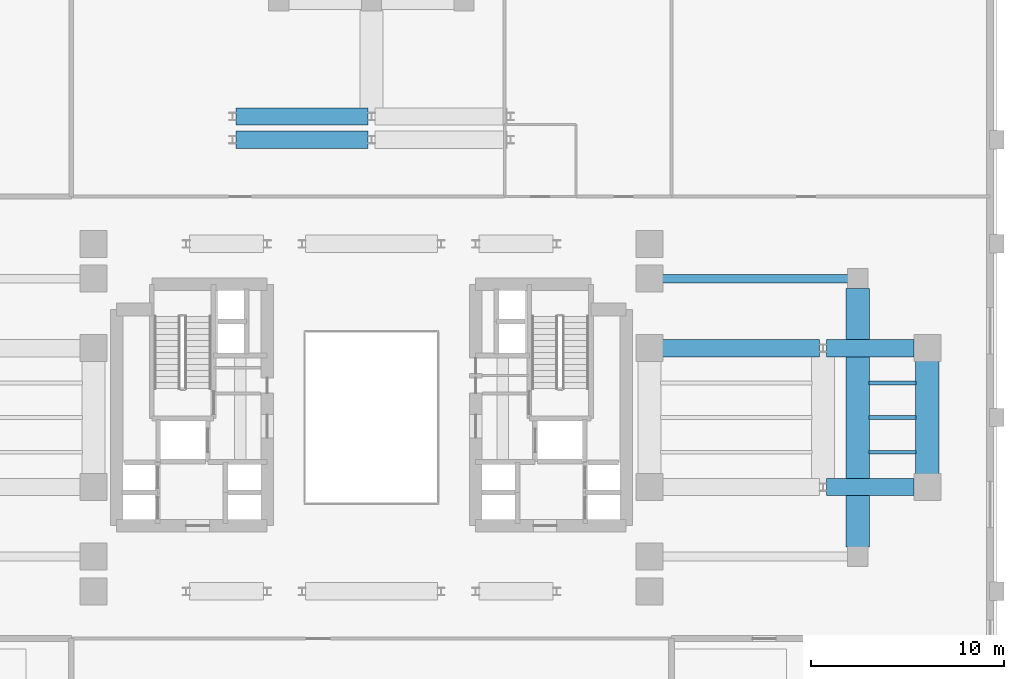
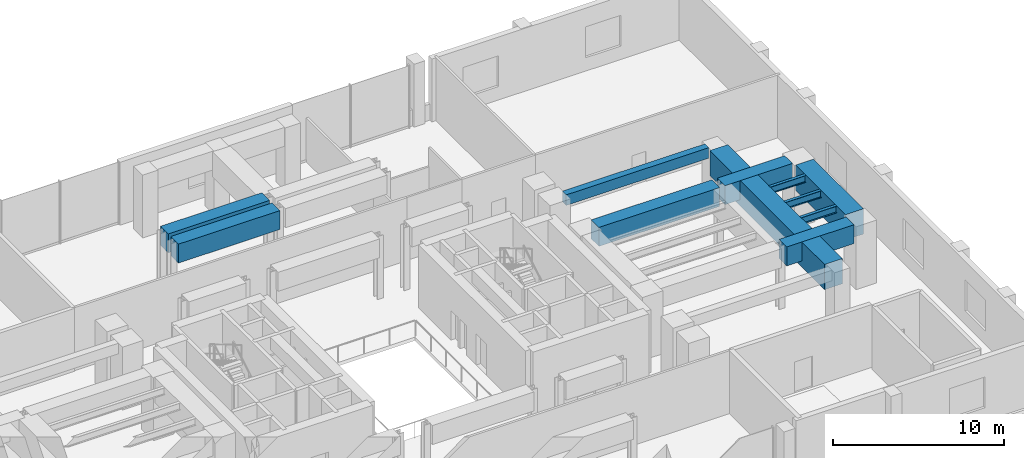
# One storey, part 6 of 13: 11 beams.
"""IFC4 building model written with IfcOpenShell, lengths in metres."""

from ifc_helpers import new_model, si_unit, direction, frame, origin, origin_2d, place, context, subcontext, project, spatial, rectangle, i_section, extrude, source, transform, mapped, material, material_profile, profile_set, type_object, element, save


model = new_model("IFC4")

# Units and contexts
model_context = context("Model", 3, precision=1e-05, world=origin(), true_north=direction((0.0, 1.0)))
body_context = subcontext(model_context, "Body", "Model", "MODEL_VIEW")
ifc_project = project(units=[si_unit("LENGTHUNIT", "METRE"), si_unit("AREAUNIT", "SQUARE_METRE"), si_unit("VOLUMEUNIT", "CUBIC_METRE"), si_unit("PLANEANGLEUNIT", "RADIAN"), si_unit("MASSUNIT", "GRAM", prefix="KILO")], contexts=[model_context])

# Site, building, storey
site_placement = place(None, origin())
site = spatial("IfcSite", under=ifc_project, at=site_placement, CompositionType="ELEMENT")
building_placement = place(site_placement, origin())
building = spatial("IfcBuilding", under=site, at=building_placement, Name="Keilestroom Media Tower", CompositionType="ELEMENT")
storey_placement = place(building_placement, frame((0.0, 0.0, 20.39990234375)))
storey = spatial("IfcBuildingStorey", under=building, at=storey_placement, Name="L04", CompositionType="ELEMENT", Elevation=20.39990234375)

# Beams
ifc_material_1 = material(Name="Concrete C55/67", Category="concrete")
ifc_material_profile_1 = material_profile(ifc_material_1, rectangle(XDim=0.89990234375, YDim=1.35009765625, at=origin_2d()), Name="RC 900x1350")
ifc_profile_set_1 = profile_set([ifc_material_profile_1], Name="Concrete C55/67")
beam_type_1 = type_object("IfcBeamType", Name="Primary-Structural-Girder-RC-900x1350", PredefinedType="BEAM", material=ifc_profile_set_1)
shared_shape_1 = source(origin(), body_context, "Body", "SweptSolid", [
    extrude(rectangle(XDim=0.89990234375, YDim=1.35009765625, at=origin_2d()), origin(), (0.0, 0.0, 1.0), 6.833984375),
])
for number, where, z_axis, x_axis, name in (
    (1, (-7.01708984375, 14.39990234375, 3.80517578125), (1.0, 0.0, 0.0), (0.0, 1.0, 0.0), "L04 Beam TG-2 BM-L04-EW-029"),
    (2, (-7.01708984375, 15.60009765625, 3.80517578125), (1.0, 0.0, 0.0), (0.0, 1.0, 0.0), "L04 Beam TG-2 BM-L04-EW-031"),
):
    element("IfcBeam", number, at=place(storey_placement, frame(where, z_axis=z_axis, x_axis=x_axis)), inside=storey, type_object=beam_type_1, Name=name, PredefinedType="BEAM", context=body_context, shape_type="MappedRepresentation", body=[
        mapped(shared_shape_1, transform((0.0, 0.0, 0.0), x_axis=(1.0, 0.0, 0.0), y_axis=(0.0, 1.0, 0.0), z_axis=(0.0, 0.0, 1.0), scale=1.0)),
    ])
shared_shape_2 = source(origin(), body_context, "Body", "SweptSolid", [
    extrude(rectangle(XDim=0.89990234375, YDim=1.35009765625, at=origin_2d()), origin(), (0.0, 0.0, 1.0), 4.537109375),
])
for number, where, z_axis, x_axis, name in (
    (3, (23.5830078125, -3.60009765625, 3.80517578125), (1.0, 0.0, 0.0), (0.0, 1.0, 0.0), "L04 Beam TG-2 BM-L04-EW-017"),
    (4, (23.5830078125, 3.60009765625, 3.80517578125), (1.0, 0.0, 0.0), (0.0, 1.0, 0.0), "L04 Beam TG-2 BM-L04-EW-021"),
):
    element("IfcBeam", number, at=place(storey_placement, frame(where, z_axis=z_axis, x_axis=x_axis)), inside=storey, type_object=beam_type_1, Name=name, PredefinedType="BEAM", context=body_context, shape_type="MappedRepresentation", body=[
        mapped(shared_shape_2, transform((0.0, 0.0, 0.0), x_axis=(1.0, 0.0, 0.0), y_axis=(0.0, 1.0, 0.0), z_axis=(0.0, 0.0, 1.0), scale=1.0)),
    ])
shared_shape_3 = source(origin(), body_context, "Body", "SweptSolid", [
    extrude(rectangle(XDim=0.89990234375, YDim=1.35009765625, at=origin_2d()), origin(), (0.0, 0.0, 1.0), 8.136962890625),
])
beam_1_placement = place(storey_placement, frame((15.080078125, 3.60009765625, 3.80517578125), z_axis=(1.0, 0.0, 0.0), x_axis=(0.0, 1.0, 0.0)))
element("IfcBeam", 5, at=beam_1_placement, inside=storey, type_object=beam_type_1, Name="L04 Beam TG-2 BM-L04-EW-020", PredefinedType="BEAM", context=body_context, shape_type="MappedRepresentation", body=[
    mapped(shared_shape_3, transform((0.0, 0.0, 0.0), x_axis=(1.0, 0.0, 0.0), y_axis=(0.0, 1.0, 0.0), z_axis=(0.0, 0.0, 1.0), scale=1.0)),
])
ifc_material_2 = material(Name="Precast concrete C40/50", Category="concrete")
ifc_material_profile_2 = material_profile(ifc_material_2, rectangle(XDim=0.449951171875, YDim=0.75, at=origin_2d()), Name="PC 450x750")
ifc_profile_set_2 = profile_set([ifc_material_profile_2], Name="Precast concrete C40/50")
beam_type_2 = type_object("IfcBeamType", Name="Perimeter-Spandrel-Beam-PC-450x750", PredefinedType="SPANDREL", material=ifc_profile_set_2)
shared_shape_4 = source(origin(), body_context, "Body", "SweptSolid", [
    extrude(rectangle(XDim=0.449951171875, YDim=0.75, at=origin_2d()), origin(), (0.0, 0.0, 1.0), 9.614990234375),
])
beam_2_placement = place(storey_placement, frame((15.080078125, 7.199951171875, 4.10498046875), z_axis=(1.0, 0.0, 0.0), x_axis=(0.0, 1.0, 0.0)))
element("IfcBeam", 6, at=beam_2_placement, inside=storey, type_object=beam_type_2, Name="L04 Beam SPB-1 BM-L04-EW-023", PredefinedType="SPANDREL", context=body_context, shape_type="MappedRepresentation", body=[
    mapped(shared_shape_4, transform((0.0, 0.0, 0.0), x_axis=(1.0, 0.0, 0.0), y_axis=(0.0, 1.0, 0.0), z_axis=(0.0, 0.0, 1.0), scale=1.0)),
])
ifc_material_3 = material(Name="Concrete C60/75", Category="concrete")
ifc_material_profile_3 = material_profile(ifc_material_3, rectangle(XDim=1.199951171875, YDim=1.800048828125, at=origin_2d()), Name="RC 1200x1800")
ifc_profile_set_3 = profile_set([ifc_material_profile_3], Name="Concrete C60/75")
beam_type_3 = type_object("IfcBeamType", Name="Primary-Structural-Girder-RC-1200x1800", PredefinedType="BEAM", material=ifc_profile_set_3)
shared_shape_5 = source(origin(), body_context, "Body", "SweptSolid", [
    extrude(rectangle(XDim=1.199951171875, YDim=1.800048828125, at=origin_2d()), origin(), (0.0, 0.0, 1.0), 5.83984375),
])
beam_3_placement = place(storey_placement, frame((28.800048828125, -2.919921875, 3.580078125), z_axis=(0.0, 1.0, 0.0), x_axis=(-1.0, 0.0, 0.0)))
element("IfcBeam", 7, at=beam_3_placement, inside=storey, type_object=beam_type_3, Name="L04 Beam TG-1 BM-L04-NS-060", PredefinedType="BEAM", context=body_context, shape_type="MappedRepresentation", body=[
    mapped(shared_shape_5, transform((0.0, 0.0, 0.0), x_axis=(1.0, 0.0, 0.0), y_axis=(0.0, 1.0, 0.0), z_axis=(0.0, 0.0, 1.0), scale=1.0)),
])
shared_shape_6 = source(origin(), body_context, "Body", "SweptSolid", [
    extrude(rectangle(XDim=1.199951171875, YDim=1.800048828125, at=origin_2d()), origin(), (0.0, 0.0, 1.0), 13.39013671875),
])
beam_4_placement = place(storey_placement, frame((25.199951171875, -6.695068359375, 3.580078125), z_axis=(0.0, 1.0, 0.0), x_axis=(-1.0, 0.0, 0.0)))
element("IfcBeam", 8, at=beam_4_placement, inside=storey, type_object=beam_type_3, Name="L04 Beam TG-1 BM-L04-NS-059", PredefinedType="BEAM", context=body_context, shape_type="MappedRepresentation", body=[
    mapped(shared_shape_6, transform((0.0, 0.0, 0.0), x_axis=(1.0, 0.0, 0.0), y_axis=(0.0, 1.0, 0.0), z_axis=(0.0, 0.0, 1.0), scale=1.0)),
])
ifc_material_4 = material(Name="Steel S355", Category="steel")
ifc_material_profile_4 = material_profile(ifc_material_4, i_section(OverallWidth=0.199951171875, OverallDepth=0.5, WebThickness=0.01025390625, FlangeThickness=0.01611328125, at=origin_2d()), Name="IPE 500")
ifc_profile_set_4 = profile_set([ifc_material_profile_4], Name="Steel S355")
beam_type_4 = type_object("IfcBeamType", Name="Secondary-Floor-Joist-IPE-500", PredefinedType="JOIST", material=ifc_profile_set_4)
shared_shape_7 = source(origin(), body_context, "Body", "SweptSolid", [
    extrude(i_section(OverallWidth=0.199951171875, OverallDepth=0.5, WebThickness=0.01025390625, FlangeThickness=0.01611328125, at=origin_2d()), origin(), (0.0, 0.0, 1.0), 2.43994140625),
])
for number, where, z_axis, x_axis, name in (
    (9, (25.780029296875, -1.800048828125, 4.22998046875), (1.0, 0.0, 0.0), (0.0, 1.0, 0.0), "L04 Beam BJ-2 JST-L04-064"),
    (10, (25.780029296875, 0.0, 4.22998046875), (1.0, 0.0, 0.0), (0.0, 1.0, 0.0), "L04 Beam BJ-2 JST-L04-068"),
    (11, (25.780029296875, 1.800048828125, 4.22998046875), (1.0, 0.0, 0.0), (0.0, 1.0, 0.0), "L04 Beam BJ-2 JST-L04-072"),
):
    element("IfcBeam", number, at=place(storey_placement, frame(where, z_axis=z_axis, x_axis=x_axis)), inside=storey, type_object=beam_type_4, Name=name, PredefinedType="JOIST", context=body_context, shape_type="MappedRepresentation", body=[
        mapped(shared_shape_7, transform((0.0, 0.0, 0.0), x_axis=(1.0, 0.0, 0.0), y_axis=(0.0, 1.0, 0.0), z_axis=(0.0, 0.0, 1.0), scale=1.0)),
    ])

save(model, "model.ifc")
